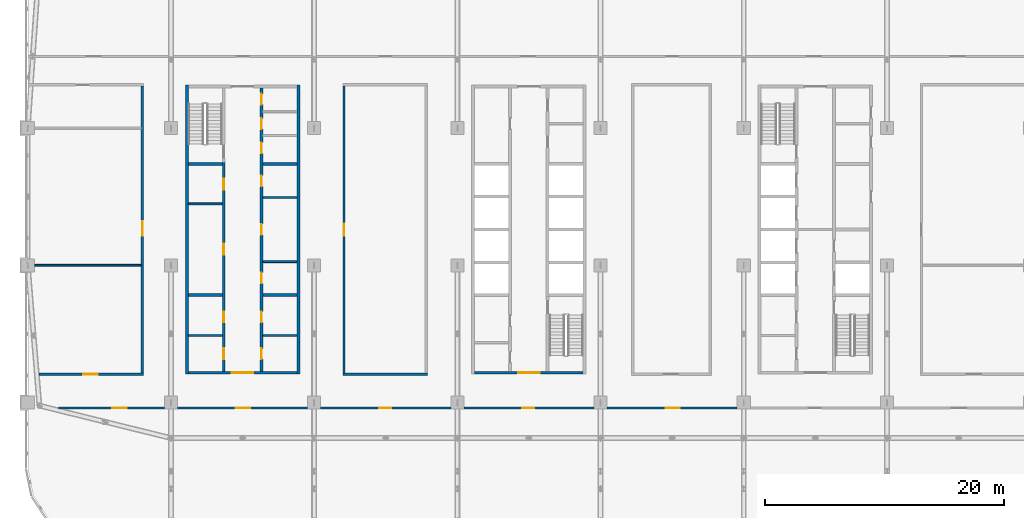
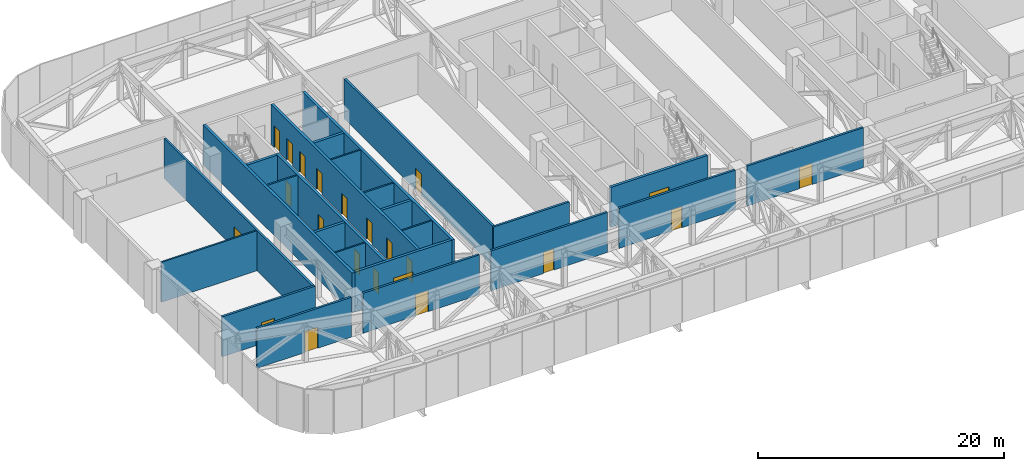
# One storey, part 13 of 28: 25 walls, 22 doors, 22 openings.
"""IFC4 building model written with IfcOpenShell, lengths in metres."""

import ifcopenshell
import ifcopenshell.guid

model = None  # the IFC model being written
_history = None  # IfcOwnerHistory: only IFC2X3 demands one
_inside = {}  # id of a spatial element -> (the spatial element, [elements in it])
_under = {}  # id of a project, library or spatial element -> (it, [spatial elements below it])
_declared = {}  # id of a project -> (the project, [libraries it declares])
_typed = {}  # id of a type object -> (the type object, [elements of that type])
_made_of = {}  # id of a material, layer set ... -> (it, [elements and type objects made of it])


def new_model(schema):
    """Start an empty IFC model of exactly this schema.

    Asked for "IFC4X3", IfcOpenShell would pick the latest addendum, in which some entities
    have other attributes; the version numbers below select the first issue.
    IFC2X3 requires an IfcOwnerHistory on every rooted entity: one is made here for all.
    """
    global model, _history
    if schema == "IFC4X3":
        model = ifcopenshell.file(schema_version=(4, 3, 0, 0))
    else:
        model = ifcopenshell.file(schema=schema)
    _inside.clear()
    _under.clear()
    _declared.clear()
    _typed.clear()
    _made_of.clear()
    _history = None
    if model.schema == "IFC2X3":
        org = make("IfcOrganization", Name="unknown")
        user = make(
            "IfcPersonAndOrganization",
            ThePerson=make("IfcPerson", FamilyName="unknown"),
            TheOrganization=org,
        )
        app = make(
            "IfcApplication",
            ApplicationDeveloper=org,
            Version="unknown",
            ApplicationFullName="unknown",
            ApplicationIdentifier="unknown",
        )
        _history = make(
            "IfcOwnerHistory",
            OwningUser=user,
            OwningApplication=app,
            ChangeAction="ADDED",
            CreationDate=0,
        )
    return model


def make(cls, **values):
    """One entity of the class cls with the attributes given. An attribute that is None is left unset."""
    return model.create_entity(
        cls, **{name: value for name, value in values.items() if value is not None}
    )


def rooted(cls, **values):
    """An entity with a GlobalId (a new one), such as an element, a storey or a relation."""
    return make(cls, GlobalId=ifcopenshell.guid.new(), OwnerHistory=_history, **values)


def si_unit(unit_type, name, prefix=None):
    """IfcSIUnit, for example si_unit("LENGTHUNIT", "METRE", prefix="MILLI")."""
    return make("IfcSIUnit", UnitType=unit_type, Prefix=prefix, Name=name)


def assignment(units):
    """IfcUnitAssignment: the units of a project."""
    return None if units is None else make("IfcUnitAssignment", Units=units)


def point(xyz):
    """IfcCartesianPoint."""
    return None if xyz is None else make("IfcCartesianPoint", Coordinates=xyz)


def direction(xyz):
    """IfcDirection."""
    return None if xyz is None else make("IfcDirection", DirectionRatios=xyz)


def frame(location, z_axis=None, x_axis=None):
    """IfcAxis2Placement3D, a coordinate frame: its origin and axes. An axis left out is left unset."""
    return make(
        "IfcAxis2Placement3D",
        Location=point(location),
        Axis=direction(z_axis),
        RefDirection=direction(x_axis),
    )


def frame_2d(location, x_axis=None):
    """IfcAxis2Placement2D, a coordinate frame in the plane: its origin and x axis."""
    return make(
        "IfcAxis2Placement2D", Location=point(location), RefDirection=direction(x_axis)
    )


def origin():
    """The frame at (0, 0, 0) with its axes left unset."""
    return frame((0.0, 0.0, 0.0))


def place(relative_to, where):
    """IfcLocalPlacement: puts the frame where relative to a parent placement (None: the world)."""
    return make(
        "IfcLocalPlacement", PlacementRelTo=relative_to, RelativePlacement=where
    )


def context(
    kind, dimensions, precision=None, world=None, true_north=None, identifier=None
):
    """IfcGeometricRepresentationContext, for example the 3D "Model" context."""
    return make(
        "IfcGeometricRepresentationContext",
        ContextIdentifier=identifier,
        ContextType=kind,
        CoordinateSpaceDimension=dimensions,
        Precision=precision,
        WorldCoordinateSystem=world,
        TrueNorth=true_north,
    )


def subcontext(parent, identifier, kind, view, scale=None):
    """IfcGeometricRepresentationSubContext, for example "Body" below "Model"."""
    return make(
        "IfcGeometricRepresentationSubContext",
        ContextIdentifier=identifier,
        ContextType=kind,
        ParentContext=parent,
        TargetScale=scale,
        TargetView=view,
    )


def project(units=None, contexts=None):
    """IfcProject with its units and contexts."""
    return rooted(
        "IfcProject",
        Name="project",
        RepresentationContexts=contexts,
        UnitsInContext=assignment(units),
    )


def spatial(cls, under=None, at=None, **own):
    """A site, building, storey or space (cls), placed at a placement, below another one or the project."""
    s = rooted(cls, ObjectPlacement=at, **own)
    if under is not None:
        _under.setdefault(under.id(), (under, []))[1].append(s)
    return s


def profile(cls, at=None, kind="AREA", **sizes):
    """A parametric profile (cls). Its sizes go by their IFC names, for example OverallWidth=200.0."""
    return make(cls, ProfileType=kind, Position=at, **sizes)


def rectangle(**sizes):
    """IfcRectangleProfileDef."""
    return profile("IfcRectangleProfileDef", **sizes)


def extrude(swept, where, along, depth):
    """IfcExtrudedAreaSolid: the profile swept, set in the frame where, extruded along a direction by depth."""
    return make(
        "IfcExtrudedAreaSolid",
        SweptArea=swept,
        Position=where,
        ExtrudedDirection=direction(along),
        Depth=depth,
    )


def shape(context_of_items, identifier, shape_type, items):
    """IfcShapeRepresentation: the items that make up one representation, for example the "Body"."""
    return make(
        "IfcShapeRepresentation",
        ContextOfItems=context_of_items,
        RepresentationIdentifier=identifier,
        RepresentationType=shape_type,
        Items=items,
    )


def material(Name=None, Category=None):
    """IfcMaterial."""
    return make("IfcMaterial", Name=Name, Category=Category)


def layer(
    of_material, thickness, ventilated=None, Name=None, Category=None, Priority=None
):
    """IfcMaterialLayer: one layer of a wall or slab, of a material (None: an air gap)."""
    return make(
        "IfcMaterialLayer",
        Material=of_material,
        LayerThickness=thickness,
        IsVentilated=ventilated,
        Name=Name,
        Category=Category,
        Priority=Priority,
    )


def layer_set(layers, Name=None):
    """IfcMaterialLayerSet."""
    return make("IfcMaterialLayerSet", MaterialLayers=layers, LayerSetName=Name)


def made_of(thing, what):
    """Note that an element or type object is made of a material, layer set ...; save() writes the relation."""
    if what is not None:
        _made_of.setdefault(what.id(), (what, []))[1].append(thing)
    return thing


def type_object(cls, material=None, **own):
    """A type object (cls), such as IfcWallType, which elements share."""
    return made_of(rooted(cls, **own), material)


def element(
    cls,
    number,
    at=None,
    inside=None,
    cuts=None,
    type_object=None,
    material=None,
    context=None,
    identifier="Body",
    shape_type=None,
    held_by="IfcProductDefinitionShape",
    body=None,
    shapes=None,
    **own,
):
    """One element of the class cls, such as IfcWall. Its Tag is "e" and its number.

    at: its placement. inside: the storey or other place that contains it. cuts: it is an
    opening in that element (IfcRelVoidsElement). A single representation is given by context,
    identifier, shape_type and body (its items); several are given by shapes. held_by: the class
    of the entity that holds the representations. save() writes the other relations.
    """
    e = rooted(cls, Tag="e%d" % number, ObjectPlacement=at, **own)
    if body is not None:
        shapes = [shape(context, identifier, shape_type, body)]
    if shapes is not None:
        e.Representation = make(held_by, Representations=shapes)
    if inside is not None:
        _inside.setdefault(inside.id(), (inside, []))[1].append(e)
    if cuts is not None:
        rooted(
            "IfcRelVoidsElement", RelatingBuildingElement=cuts, RelatedOpeningElement=e
        )
    if type_object is not None:
        _typed.setdefault(type_object.id(), (type_object, []))[1].append(e)
    return made_of(e, material)


def fill(opening, filler):
    """IfcRelFillsElement: the door or window that sits in an opening."""
    return rooted(
        "IfcRelFillsElement",
        RelatingOpeningElement=opening,
        RelatedBuildingElement=filler,
    )


def aggregate(whole, parts):
    """IfcRelAggregates: a whole, such as a stair, and the parts it consists of."""
    return rooted("IfcRelAggregates", RelatingObject=whole, RelatedObjects=parts)


def save(model, path):
    """Write the relations noted so far, then the file.

    IfcRelAggregates (storeys below a building ...), IfcRelContainedInSpatialStructure (elements
    in a storey), IfcRelDefinesByType, IfcRelAssociatesMaterial and IfcRelDeclares: one each for
    every whole, place, type object, material and project.
    """
    for whole, parts in _under.values():
        aggregate(whole, parts)
    for where, things in _inside.values():
        rooted(
            "IfcRelContainedInSpatialStructure",
            RelatedElements=things,
            RelatingStructure=where,
        )
    for kind, things in _typed.values():
        rooted("IfcRelDefinesByType", RelatedObjects=things, RelatingType=kind)
    for what, things in _made_of.values():
        rooted("IfcRelAssociatesMaterial", RelatedObjects=things, RelatingMaterial=what)
    for by, libraries in _declared.values():
        rooted("IfcRelDeclares", RelatingContext=by, RelatedDefinitions=libraries)
    model.write(path)


model = new_model("IFC4")

# Units and contexts
model_context = context("Model", 3, precision=1e-05, world=origin(), true_north=direction((0.0, 1.0)))
body_context = subcontext(model_context, "Body", "Model", "MODEL_VIEW")
ifc_project = project(units=[si_unit("LENGTHUNIT", "METRE"), si_unit("AREAUNIT", "SQUARE_METRE"), si_unit("VOLUMEUNIT", "CUBIC_METRE"), si_unit("PLANEANGLEUNIT", "RADIAN"), si_unit("MASSUNIT", "GRAM", prefix="KILO")], contexts=[model_context])

# Site, building, storey
site_placement = place(None, origin())
site = spatial("IfcSite", under=ifc_project, at=site_placement, CompositionType="ELEMENT")
building_placement = place(site_placement, origin())
building = spatial("IfcBuilding", under=site, at=building_placement, Name="Mahtab Terrace Research Tower", CompositionType="ELEMENT")
storey_placement = place(building_placement, frame((0.0, 0.0, 224.300048828125)))
storey = spatial("IfcBuildingStorey", under=building, at=storey_placement, Name="L54", CompositionType="ELEMENT", Elevation=224.300048828125)

# Walls
ifc_material_1 = material(Name="Gypsum board partition")
ifc_layer_1 = layer(ifc_material_1, 0.14990234375)
ifc_layer_set_1 = layer_set([ifc_layer_1], Name="Core partition 150")
wall_type_1 = type_object("IfcWallType", Name="Core partition 150", PredefinedType="PARTITIONING", material=ifc_layer_set_1)
for number, where, z_axis, x_axis, name in (
    (1, (-28.550048828125, 5.14990234375, 0.0), (0.0, 0.0, 1.0), (1.0, 0.0, 0.0), "Core wall A pWL215"),
    (2, (-22.300048828125, 0.3125, 0.0), (0.0, 0.0, 1.0), (1.0, 0.0, 0.0), "Core wall A pEL-269"),
    (3, (-22.300048828125, 5.6875, 0.0), (0.0, 0.0, 1.0), (1.0, 0.0, 0.0), "Core wall A pEL269"),
    (4, (-28.550048828125, -5.875, 0.0), (0.0, 0.0, 1.0), (1.0, 0.0, 0.0), "Core wall A pWS-888"),
    (5, (-22.300048828125, -5.875, 0.0), (0.0, 0.0, 1.0), (1.0, 0.0, 0.0), "Core wall A pES-888"),
):
    element("IfcWall", number, at=place(storey_placement, frame(where, z_axis=z_axis, x_axis=x_axis)), inside=storey, type_object=wall_type_1, Name=name, PredefinedType="PARTITIONING", context=body_context, shape_type="SweptSolid", body=[
        extrude(rectangle(XDim=2.85009765625, YDim=0.14990234375, at=frame_2d((1.425048828125, 0.0))), origin(), (0.0, 0.0, 1.0), 3.9599609375),
    ])
ifc_material_2 = material(Name="Concrete C70/85", Category="concrete")
ifc_layer_2 = layer(ifc_material_2, 0.25)
ifc_layer_set_2 = layer_set([ifc_layer_2], Name="Core wall 250")
wall_type_2 = type_object("IfcWallType", Name="Core wall 250", PredefinedType="SOLIDWALL", material=ifc_layer_set_2)
for number, where, z_axis, x_axis, name in (
    (6, (-28.675048828125, 15.125, 0.0), (0.0, 0.0, 1.0), (0.0, -1.0, 0.0), "Core wall A outerW"),
    (7, (-19.324951171875, -9.125, 0.0), (0.0, 0.0, 1.0), (0.0, 1.0, 0.0), "Core wall A outerE"),
):
    element("IfcWall", number, at=place(storey_placement, frame(where, z_axis=z_axis, x_axis=x_axis)), inside=storey, type_object=wall_type_2, Name=name, PredefinedType="SOLIDWALL", context=body_context, shape_type="SweptSolid", body=[
        extrude(rectangle(XDim=24.25, YDim=0.25, at=frame_2d((12.125, 0.0))), origin(), (0.0, 0.0, 1.0), 3.9599609375),
    ])

# Wall, opening, door
wall_1_placement = place(storey_placement, frame((-19.449951171875, -9.0, 0.0), z_axis=(0.0, 0.0, 1.0), x_axis=(-1.0, 0.0, 0.0)))
wall_1 = element("IfcWall", 8, at=wall_1_placement, inside=storey, type_object=wall_type_2, Name="Core wall A endS", PredefinedType="SOLIDWALL", context=body_context, shape_type="SweptSolid", body=[
    extrude(rectangle(XDim=9.10009765625, YDim=0.25, at=frame_2d((4.550048828125, 0.0))), origin(), (0.0, 0.0, 1.0), 3.9599609375),
])
opening_1_placement = place(wall_1_placement, frame((3.64990234375, 0.0, 0.0)))
opening_1 = element("IfcOpeningElement", 9, at=opening_1_placement, cuts=wall_1, Name="Opening A-S1", PredefinedType="OPENING", context=body_context, shape_type="SweptSolid", body=[
    extrude(rectangle(XDim=1.800048828125, YDim=2.10009765625, at=frame_2d((0.89990234375, 1.050048828125))), frame((0.0, 0.135009765625, 0.0), z_axis=(0.0, -1.0, 0.0), x_axis=(1.0, 0.0, 0.0)), (0.0, 0.0, 1.0), 0.27001953125),
])
ifc_material_3 = material(Name="Steel fire door", Category="steel")
door_type_1 = type_object("IfcDoorType", Name="Lobby double door 1800x2100 1 HR", OperationType="DOUBLE_DOOR_SINGLE_SWING", PredefinedType="DOOR", material=ifc_material_3)
door_1_placement = place(opening_1_placement, origin())
door_1 = element("IfcDoor", 10, at=door_1_placement, inside=storey, type_object=door_type_1, Name="Core entrance door A S", OperationType="DOUBLE_DOOR_SINGLE_SWING", OverallHeight=2.10009765625, OverallWidth=1.800048828125, PredefinedType="DOOR", context=body_context, shape_type="SweptSolid", body=[
    extrude(rectangle(XDim=1.800048828125, YDim=2.10009765625, at=frame_2d((0.89990234375, 1.050048828125))), frame((0.0, 0.02490234375, 0.0), z_axis=(0.0, -1.0, 0.0), x_axis=(1.0, 0.0, 0.0)), (0.0, 0.0, 1.0), 0.050048828125),
])
fill(opening_1, door_1)

# Wall, openings, doors
wall_2_placement = place(storey_placement, frame((-25.574951171875, -8.875, 0.0), z_axis=(0.0, 0.0, 1.0), x_axis=(0.0, 1.0, 0.0)))
wall_2 = element("IfcWall", 11, at=wall_2_placement, inside=storey, type_object=wall_type_2, Name="Core wall A innerWSL", PredefinedType="SOLIDWALL", context=body_context, shape_type="SweptSolid", body=[
    extrude(rectangle(XDim=17.5, YDim=0.25, at=frame_2d((8.75, 0.0))), origin(), (0.0, 0.0, 1.0), 3.9599609375),
])
opening_2_placement = place(wall_2_placement, frame((9.77490234375, 0.0, 0.0)))
opening_2 = element("IfcOpeningElement", 12, at=opening_2_placement, cuts=wall_2, Name="Opening A-R1", PredefinedType="OPENING", context=body_context, shape_type="SweptSolid", body=[
    extrude(rectangle(XDim=0.89990234375, YDim=2.10009765625, at=frame_2d((0.449951171875, 1.050048828125))), frame((0.0, 0.135009765625, 0.0), z_axis=(0.0, -1.0, 0.0), x_axis=(1.0, 0.0, 0.0)), (0.0, 0.0, 1.0), 0.27001953125),
])
opening_3_placement = place(wall_2_placement, frame((15.22509765625, 0.0, 0.0)))
opening_3 = element("IfcOpeningElement", 13, at=opening_3_placement, cuts=wall_2, Name="Opening A-R2", PredefinedType="OPENING", context=body_context, shape_type="SweptSolid", body=[
    extrude(rectangle(XDim=0.89990234375, YDim=2.10009765625, at=frame_2d((0.449951171875, 1.050048828125))), frame((0.0, 0.135009765625, 0.0), z_axis=(0.0, -1.0, 0.0), x_axis=(1.0, 0.0, 0.0)), (0.0, 0.0, 1.0), 0.27001953125),
])
opening_4_placement = place(wall_2_placement, frame((1.012451171875, 0.0, 0.0)))
opening_4 = element("IfcOpeningElement", 14, at=opening_4_placement, cuts=wall_2, Name="Opening A-R6", PredefinedType="OPENING", context=body_context, shape_type="SweptSolid", body=[
    extrude(rectangle(XDim=0.89990234375, YDim=2.10009765625, at=frame_2d((0.449951171875, 1.050048828125))), frame((0.0, 0.135009765625, 0.0), z_axis=(0.0, -1.0, 0.0), x_axis=(1.0, 0.0, 0.0)), (0.0, 0.0, 1.0), 0.27001953125),
])
opening_5_placement = place(wall_2_placement, frame((4.08740234375, 0.0, 0.0)))
opening_5 = element("IfcOpeningElement", 15, at=opening_5_placement, cuts=wall_2, Name="Opening A-R7", PredefinedType="OPENING", context=body_context, shape_type="SweptSolid", body=[
    extrude(rectangle(XDim=0.89990234375, YDim=2.10009765625, at=frame_2d((0.449951171875, 1.050048828125))), frame((0.0, 0.135009765625, 0.0), z_axis=(0.0, -1.0, 0.0), x_axis=(1.0, 0.0, 0.0)), (0.0, 0.0, 1.0), 0.27001953125),
])
door_type_2 = type_object("IfcDoorType", Name="Room door 900x2100 1 HR", OperationType="NOTDEFINED", PredefinedType="DOOR", material=ifc_material_3)
door_2_placement = place(opening_2_placement, origin())
door_2 = element("IfcDoor", 16, at=door_2_placement, inside=storey, type_object=door_type_2, Name="Chemical store door", OperationType="SINGLE_SWING_LEFT", OverallHeight=2.10009765625, OverallWidth=0.89990234375, PredefinedType="DOOR", context=body_context, shape_type="SweptSolid", body=[
    extrude(rectangle(XDim=0.89990234375, YDim=2.10009765625, at=frame_2d((0.449951171875, 1.050048828125))), frame((0.0, 0.02490234375, 0.0), z_axis=(0.0, -1.0, 0.0), x_axis=(1.0, 0.0, 0.0)), (0.0, 0.0, 1.0), 0.050048828125),
])
fill(opening_2, door_2)
door_3_placement = place(opening_3_placement, origin())
door_3 = element("IfcDoor", 17, at=door_3_placement, inside=storey, type_object=door_type_2, Name="Waste room door", OperationType="SINGLE_SWING_RIGHT", OverallHeight=2.10009765625, OverallWidth=0.89990234375, PredefinedType="DOOR", context=body_context, shape_type="SweptSolid", body=[
    extrude(rectangle(XDim=0.89990234375, YDim=2.10009765625, at=frame_2d((0.449951171875, 1.050048828125))), frame((0.0, 0.02490234375, 0.0), z_axis=(0.0, -1.0, 0.0), x_axis=(1.0, 0.0, 0.0)), (0.0, 0.0, 1.0), 0.050048828125),
])
fill(opening_3, door_3)
door_4_placement = place(opening_4_placement, origin())
door_4 = element("IfcDoor", 18, at=door_4_placement, inside=storey, type_object=door_type_2, Name="Staff WC door", OperationType="SINGLE_SWING_RIGHT", OverallHeight=2.10009765625, OverallWidth=0.89990234375, PredefinedType="DOOR", context=body_context, shape_type="SweptSolid", body=[
    extrude(rectangle(XDim=0.89990234375, YDim=2.10009765625, at=frame_2d((0.449951171875, 1.050048828125))), frame((0.0, 0.02490234375, 0.0), z_axis=(0.0, -1.0, 0.0), x_axis=(1.0, 0.0, 0.0)), (0.0, 0.0, 1.0), 0.050048828125),
])
fill(opening_4, door_4)
door_5_placement = place(opening_5_placement, origin())
door_5 = element("IfcDoor", 19, at=door_5_placement, inside=storey, type_object=door_type_2, Name="Accessible WC door", OperationType="SINGLE_SWING_LEFT", OverallHeight=2.10009765625, OverallWidth=0.89990234375, PredefinedType="DOOR", context=body_context, shape_type="SweptSolid", body=[
    extrude(rectangle(XDim=0.89990234375, YDim=2.10009765625, at=frame_2d((0.449951171875, 1.050048828125))), frame((0.0, 0.02490234375, 0.0), z_axis=(0.0, -1.0, 0.0), x_axis=(1.0, 0.0, 0.0)), (0.0, 0.0, 1.0), 0.050048828125),
])
fill(opening_5, door_5)

wall_3_placement = place(storey_placement, frame((-22.425048828125, 14.875, 0.0), z_axis=(0.0, 0.0, 1.0), x_axis=(0.0, -1.0, 0.0)))
wall_3 = element("IfcWall", 20, at=wall_3_placement, inside=storey, type_object=wall_type_2, Name="Core wall A innerESLN", PredefinedType="SOLIDWALL", context=body_context, shape_type="SweptSolid", body=[
    extrude(rectangle(XDim=23.75, YDim=0.25, at=frame_2d((11.875, 0.0))), origin(), (0.0, 0.0, 1.0), 3.9599609375),
])
opening_6_placement = place(wall_3_placement, frame((15.493896484375, 0.0, 0.0)))
opening_6 = element("IfcOpeningElement", 21, at=opening_6_placement, cuts=wall_3, Name="Opening A-R3", PredefinedType="OPENING", context=body_context, shape_type="SweptSolid", body=[
    extrude(rectangle(XDim=0.89990234375, YDim=2.10009765625, at=frame_2d((0.449951171875, 1.050048828125))), frame((0.0, 0.135009765625, 0.0), z_axis=(0.0, -1.0, 0.0), x_axis=(1.0, 0.0, 0.0)), (0.0, 0.0, 1.0), 0.27001953125),
])
opening_7_placement = place(wall_3_placement, frame((11.425048828125, 0.0, 0.0)))
opening_7 = element("IfcOpeningElement", 22, at=opening_7_placement, cuts=wall_3, Name="Opening A-R4", PredefinedType="OPENING", context=body_context, shape_type="SweptSolid", body=[
    extrude(rectangle(XDim=0.89990234375, YDim=2.10009765625, at=frame_2d((0.449951171875, 1.050048828125))), frame((0.0, 0.135009765625, 0.0), z_axis=(0.0, -1.0, 0.0), x_axis=(1.0, 0.0, 0.0)), (0.0, 0.0, 1.0), 0.27001953125),
])
opening_8_placement = place(wall_3_placement, frame((7.356201171875, 0.0, 0.0)))
opening_8 = element("IfcOpeningElement", 23, at=opening_8_placement, cuts=wall_3, Name="Opening A-R5", PredefinedType="OPENING", context=body_context, shape_type="SweptSolid", body=[
    extrude(rectangle(XDim=0.89990234375, YDim=2.10009765625, at=frame_2d((0.449951171875, 1.050048828125))), frame((0.0, 0.135009765625, 0.0), z_axis=(0.0, -1.0, 0.0), x_axis=(1.0, 0.0, 0.0)), (0.0, 0.0, 1.0), 0.27001953125),
])
opening_9_placement = place(wall_3_placement, frame((21.83740234375, 0.0, 0.0)))
opening_9 = element("IfcOpeningElement", 24, at=opening_9_placement, cuts=wall_3, Name="Opening A-R8", PredefinedType="OPENING", context=body_context, shape_type="SweptSolid", body=[
    extrude(rectangle(XDim=0.89990234375, YDim=2.10009765625, at=frame_2d((0.449951171875, 1.050048828125))), frame((0.0, 0.135009765625, 0.0), z_axis=(0.0, -1.0, 0.0), x_axis=(1.0, 0.0, 0.0)), (0.0, 0.0, 1.0), 0.27001953125),
])
opening_10_placement = place(wall_3_placement, frame((18.762451171875, 0.0, 0.0)))
opening_10 = element("IfcOpeningElement", 25, at=opening_10_placement, cuts=wall_3, Name="Opening A-R9", PredefinedType="OPENING", context=body_context, shape_type="SweptSolid", body=[
    extrude(rectangle(XDim=0.89990234375, YDim=2.10009765625, at=frame_2d((0.449951171875, 1.050048828125))), frame((0.0, 0.135009765625, 0.0), z_axis=(0.0, -1.0, 0.0), x_axis=(1.0, 0.0, 0.0)), (0.0, 0.0, 1.0), 0.27001953125),
])
opening_11_placement = place(wall_3_placement, frame((4.58740234375, 0.0, 0.0)))
opening_11 = element("IfcOpeningElement", 26, at=opening_11_placement, cuts=wall_3, Name="Opening A-R10", PredefinedType="OPENING", context=body_context, shape_type="SweptSolid", body=[
    extrude(rectangle(XDim=0.89990234375, YDim=2.10009765625, at=frame_2d((0.449951171875, 1.050048828125))), frame((0.0, 0.135009765625, 0.0), z_axis=(0.0, -1.0, 0.0), x_axis=(1.0, 0.0, 0.0)), (0.0, 0.0, 1.0), 0.27001953125),
])
opening_12_placement = place(wall_3_placement, frame((2.550048828125, 0.0, 0.0)))
opening_12 = element("IfcOpeningElement", 27, at=opening_12_placement, cuts=wall_3, Name="Opening A-R11", PredefinedType="OPENING", context=body_context, shape_type="SweptSolid", body=[
    extrude(rectangle(XDim=0.89990234375, YDim=2.10009765625, at=frame_2d((0.449951171875, 1.050048828125))), frame((0.0, 0.135009765625, 0.0), z_axis=(0.0, -1.0, 0.0), x_axis=(1.0, 0.0, 0.0)), (0.0, 0.0, 1.0), 0.27001953125),
])
opening_13_placement = place(wall_3_placement, frame((0.512451171875, 0.0, 0.0)))
opening_13 = element("IfcOpeningElement", 28, at=opening_13_placement, cuts=wall_3, Name="Opening A-R12", PredefinedType="OPENING", context=body_context, shape_type="SweptSolid", body=[
    extrude(rectangle(XDim=0.89990234375, YDim=2.10009765625, at=frame_2d((0.449951171875, 1.050048828125))), frame((0.0, 0.135009765625, 0.0), z_axis=(0.0, -1.0, 0.0), x_axis=(1.0, 0.0, 0.0)), (0.0, 0.0, 1.0), 0.27001953125),
])
door_6_placement = place(opening_6_placement, origin())
door_6 = element("IfcDoor", 29, at=door_6_placement, inside=storey, type_object=door_type_2, Name="Comms room door", OperationType="SINGLE_SWING_LEFT", OverallHeight=2.10009765625, OverallWidth=0.89990234375, PredefinedType="DOOR", context=body_context, shape_type="SweptSolid", body=[
    extrude(rectangle(XDim=0.89990234375, YDim=2.10009765625, at=frame_2d((0.449951171875, 1.050048828125))), frame((0.0, 0.02490234375, 0.0), z_axis=(0.0, -1.0, 0.0), x_axis=(1.0, 0.0, 0.0)), (0.0, 0.0, 1.0), 0.050048828125),
])
fill(opening_6, door_6)
door_7_placement = place(opening_7_placement, origin())
door_7 = element("IfcDoor", 30, at=door_7_placement, inside=storey, type_object=door_type_2, Name="Meeting alcove door", OperationType="SINGLE_SWING_RIGHT", OverallHeight=2.10009765625, OverallWidth=0.89990234375, PredefinedType="DOOR", context=body_context, shape_type="SweptSolid", body=[
    extrude(rectangle(XDim=0.89990234375, YDim=2.10009765625, at=frame_2d((0.449951171875, 1.050048828125))), frame((0.0, 0.02490234375, 0.0), z_axis=(0.0, -1.0, 0.0), x_axis=(1.0, 0.0, 0.0)), (0.0, 0.0, 1.0), 0.050048828125),
])
fill(opening_7, door_7)
door_8_placement = place(opening_8_placement, origin())
door_8 = element("IfcDoor", 31, at=door_8_placement, inside=storey, type_object=door_type_2, Name="Linen store door", OperationType="SINGLE_SWING_LEFT", OverallHeight=2.10009765625, OverallWidth=0.89990234375, PredefinedType="DOOR", context=body_context, shape_type="SweptSolid", body=[
    extrude(rectangle(XDim=0.89990234375, YDim=2.10009765625, at=frame_2d((0.449951171875, 1.050048828125))), frame((0.0, 0.02490234375, 0.0), z_axis=(0.0, -1.0, 0.0), x_axis=(1.0, 0.0, 0.0)), (0.0, 0.0, 1.0), 0.050048828125),
])
fill(opening_8, door_8)
door_9_placement = place(opening_9_placement, origin())
door_9 = element("IfcDoor", 32, at=door_9_placement, inside=storey, type_object=door_type_2, Name="Housekeeping store door", OperationType="SINGLE_SWING_RIGHT", OverallHeight=2.10009765625, OverallWidth=0.89990234375, PredefinedType="DOOR", context=body_context, shape_type="SweptSolid", body=[
    extrude(rectangle(XDim=0.89990234375, YDim=2.10009765625, at=frame_2d((0.449951171875, 1.050048828125))), frame((0.0, 0.02490234375, 0.0), z_axis=(0.0, -1.0, 0.0), x_axis=(1.0, 0.0, 0.0)), (0.0, 0.0, 1.0), 0.050048828125),
])
fill(opening_9, door_9)
door_10_placement = place(opening_10_placement, origin())
door_10 = element("IfcDoor", 33, at=door_10_placement, inside=storey, type_object=door_type_2, Name="Electrical riser room door", OperationType="SINGLE_SWING_LEFT", OverallHeight=2.10009765625, OverallWidth=0.89990234375, PredefinedType="DOOR", context=body_context, shape_type="SweptSolid", body=[
    extrude(rectangle(XDim=0.89990234375, YDim=2.10009765625, at=frame_2d((0.449951171875, 1.050048828125))), frame((0.0, 0.02490234375, 0.0), z_axis=(0.0, -1.0, 0.0), x_axis=(1.0, 0.0, 0.0)), (0.0, 0.0, 1.0), 0.050048828125),
])
fill(opening_10, door_10)
door_11_placement = place(opening_11_placement, origin())
door_11 = element("IfcDoor", 34, at=door_11_placement, inside=storey, type_object=door_type_2, Name="Comms riser room door", OperationType="SINGLE_SWING_RIGHT", OverallHeight=2.10009765625, OverallWidth=0.89990234375, PredefinedType="DOOR", context=body_context, shape_type="SweptSolid", body=[
    extrude(rectangle(XDim=0.89990234375, YDim=2.10009765625, at=frame_2d((0.449951171875, 1.050048828125))), frame((0.0, 0.02490234375, 0.0), z_axis=(0.0, -1.0, 0.0), x_axis=(1.0, 0.0, 0.0)), (0.0, 0.0, 1.0), 0.050048828125),
])
fill(opening_11, door_11)
door_12_placement = place(opening_12_placement, origin())
door_12 = element("IfcDoor", 35, at=door_12_placement, inside=storey, type_object=door_type_2, Name="Pantry door", OperationType="SINGLE_SWING_LEFT", OverallHeight=2.10009765625, OverallWidth=0.89990234375, PredefinedType="DOOR", context=body_context, shape_type="SweptSolid", body=[
    extrude(rectangle(XDim=0.89990234375, YDim=2.10009765625, at=frame_2d((0.449951171875, 1.050048828125))), frame((0.0, 0.02490234375, 0.0), z_axis=(0.0, -1.0, 0.0), x_axis=(1.0, 0.0, 0.0)), (0.0, 0.0, 1.0), 0.050048828125),
])
fill(opening_12, door_12)
door_13_placement = place(opening_13_placement, origin())
door_13 = element("IfcDoor", 36, at=door_13_placement, inside=storey, type_object=door_type_2, Name="Cleaners store door", OperationType="SINGLE_SWING_RIGHT", OverallHeight=2.10009765625, OverallWidth=0.89990234375, PredefinedType="DOOR", context=body_context, shape_type="SweptSolid", body=[
    extrude(rectangle(XDim=0.89990234375, YDim=2.10009765625, at=frame_2d((0.449951171875, 1.050048828125))), frame((0.0, 0.02490234375, 0.0), z_axis=(0.0, -1.0, 0.0), x_axis=(1.0, 0.0, 0.0)), (0.0, 0.0, 1.0), 0.050048828125),
])
fill(opening_13, door_13)

# Walls
for number, where, z_axis, x_axis, name in (
    (37, (-28.550048828125, -2.5, 0.0), (0.0, 0.0, 1.0), (1.0, 0.0, 0.0), "Core wall A divW0"),
    (38, (-28.550048828125, 8.5, 0.0), (0.0, 0.0, 1.0), (1.0, 0.0, 0.0), "Core wall A divW4"),
    (39, (-22.300048828125, -2.5, 0.0), (0.0, 0.0, 1.0), (1.0, 0.0, 0.0), "Core wall A divE0"),
    (40, (-22.300048828125, 8.5, 0.0), (0.0, 0.0, 1.0), (1.0, 0.0, 0.0), "Core wall A divE4"),
):
    element("IfcWall", number, at=place(storey_placement, frame(where, z_axis=z_axis, x_axis=x_axis)), inside=storey, type_object=wall_type_2, Name=name, PredefinedType="SOLIDWALL", context=body_context, shape_type="SweptSolid", body=[
        extrude(rectangle(XDim=2.85009765625, YDim=0.25, at=frame_2d((1.425048828125, 0.0))), origin(), (0.0, 0.0, 1.0), 3.9599609375),
    ])

# Wall, opening, door
wall_4_placement = place(storey_placement, frame((4.550048828125, -9.0, 0.0), z_axis=(0.0, 0.0, 1.0), x_axis=(-1.0, 0.0, 0.0)))
wall_4 = element("IfcWall", 41, at=wall_4_placement, inside=storey, type_object=wall_type_2, Name="Core wall B endS", PredefinedType="SOLIDWALL", context=body_context, shape_type="SweptSolid", body=[
    extrude(rectangle(XDim=9.10009765625, YDim=0.25, at=frame_2d((4.550048828125, 0.0))), origin(), (0.0, 0.0, 1.0), 3.9599609375),
])
opening_14_placement = place(wall_4_placement, frame((3.64990234375, 0.0, 0.0)))
opening_14 = element("IfcOpeningElement", 42, at=opening_14_placement, cuts=wall_4, Name="Opening B-S1", PredefinedType="OPENING", context=body_context, shape_type="SweptSolid", body=[
    extrude(rectangle(XDim=1.800048828125, YDim=2.10009765625, at=frame_2d((0.89990234375, 1.050048828125))), frame((0.0, 0.135009765625, 0.0), z_axis=(0.0, -1.0, 0.0), x_axis=(1.0, 0.0, 0.0)), (0.0, 0.0, 1.0), 0.27001953125),
])
door_14_placement = place(opening_14_placement, origin())
door_14 = element("IfcDoor", 43, at=door_14_placement, inside=storey, type_object=door_type_1, Name="Core entrance door B S", OperationType="DOUBLE_DOOR_SINGLE_SWING", OverallHeight=2.10009765625, OverallWidth=1.800048828125, PredefinedType="DOOR", context=body_context, shape_type="SweptSolid", body=[
    extrude(rectangle(XDim=1.800048828125, YDim=2.10009765625, at=frame_2d((0.89990234375, 1.050048828125))), frame((0.0, 0.02490234375, 0.0), z_axis=(0.0, -1.0, 0.0), x_axis=(1.0, 0.0, 0.0)), (0.0, 0.0, 1.0), 0.050048828125),
])
fill(opening_14, door_14)

ifc_material_4 = material(Name="Gypsum board corridor wall on steel studs", Category="steel")
ifc_layer_3 = layer(ifc_material_4, 0.199951171875)
ifc_layer_set_3 = layer_set([ifc_layer_3], Name="WALL CORRIDOR 200")
wall_type_3 = type_object("IfcWallType", Name="WALL CORRIDOR 200", PredefinedType="PARTITIONING", material=ifc_layer_set_3)
wall_5_placement = place(storey_placement, frame((-39.40625, -11.949951171875, 0.0), z_axis=(0.0, 0.0, 1.0), x_axis=(1.0, 0.0, 0.0)))
wall_5 = element("IfcWall", 44, at=wall_5_placement, inside=storey, type_object=wall_type_3, Name="L54-W001", PredefinedType="PARTITIONING", context=body_context, shape_type="SweptSolid", body=[
    extrude(rectangle(XDim=8.856201171875, YDim=0.199951171875, at=frame_2d((4.42822265625, 0.0))), origin(), (0.0, 0.0, 1.0), 3.9599609375),
])
opening_15_placement = place(wall_5_placement, frame((4.5, 0.0, 0.0)))
opening_15 = element("IfcOpeningElement", 45, at=opening_15_placement, cuts=wall_5, Name="Opening L54-101", PredefinedType="OPENING", context=body_context, shape_type="SweptSolid", body=[
    extrude(rectangle(XDim=1.199951171875, YDim=2.10009765625, at=frame_2d((0.60009765625, 1.050048828125))), frame((0.0, 0.10986328125, 0.0), z_axis=(0.0, -1.0, 0.0), x_axis=(1.0, 0.0, 0.0)), (0.0, 0.0, 1.0), 0.219970703125),
])
ifc_material_5 = material(Name="Timber door leaf in steel frame", Category="steel")
door_type_3 = type_object("IfcDoorType", Name="DOOR 1200X2100 FD30S", OperationType="SINGLE_SWING_LEFT", PredefinedType="DOOR", material=ifc_material_5)
door_15_placement = place(opening_15_placement, origin())
door_15 = element("IfcDoor", 46, at=door_15_placement, inside=storey, type_object=door_type_3, Name="Door L54-101", OperationType="SINGLE_SWING_LEFT", OverallHeight=2.10009765625, OverallWidth=1.199951171875, PredefinedType="DOOR", context=body_context, shape_type="SweptSolid", body=[
    extrude(rectangle(XDim=1.199951171875, YDim=2.10009765625, at=frame_2d((0.60009765625, 1.050048828125))), frame((0.0, 0.02490234375, 0.0), z_axis=(0.0, -1.0, 0.0), x_axis=(1.0, 0.0, 0.0)), (0.0, 0.0, 1.0), 0.050048828125),
])
fill(opening_15, door_15)

wall_6_placement = place(storey_placement, frame((-29.449951171875, -11.949951171875, 0.0), z_axis=(0.0, 0.0, 1.0), x_axis=(1.0, 0.0, 0.0)))
wall_6 = element("IfcWall", 47, at=wall_6_placement, inside=storey, type_object=wall_type_3, Name="L54-W002", PredefinedType="PARTITIONING", context=body_context, shape_type="SweptSolid", body=[
    extrude(rectangle(XDim=10.89990234375, YDim=0.199951171875, at=frame_2d((5.449951171875, 0.0))), origin(), (0.0, 0.0, 1.0), 3.9599609375),
])
opening_16_placement = place(wall_6_placement, frame((4.89990234375, 0.0, 0.0)))
opening_16 = element("IfcOpeningElement", 48, at=opening_16_placement, cuts=wall_6, Name="Opening L54-102", PredefinedType="OPENING", context=body_context, shape_type="SweptSolid", body=[
    extrude(rectangle(XDim=1.199951171875, YDim=2.10009765625, at=frame_2d((0.60009765625, 1.050048828125))), frame((0.0, 0.10986328125, 0.0), z_axis=(0.0, -1.0, 0.0), x_axis=(1.0, 0.0, 0.0)), (0.0, 0.0, 1.0), 0.219970703125),
])
door_16_placement = place(opening_16_placement, origin())
door_16 = element("IfcDoor", 49, at=door_16_placement, inside=storey, type_object=door_type_3, Name="Door L54-102", OperationType="SINGLE_SWING_LEFT", OverallHeight=2.10009765625, OverallWidth=1.199951171875, PredefinedType="DOOR", context=body_context, shape_type="SweptSolid", body=[
    extrude(rectangle(XDim=1.199951171875, YDim=2.10009765625, at=frame_2d((0.60009765625, 1.050048828125))), frame((0.0, 0.02490234375, 0.0), z_axis=(0.0, -1.0, 0.0), x_axis=(1.0, 0.0, 0.0)), (0.0, 0.0, 1.0), 0.050048828125),
])
fill(opening_16, door_16)

wall_7_placement = place(storey_placement, frame((-17.449951171875, -11.949951171875, 0.0), z_axis=(0.0, 0.0, 1.0), x_axis=(1.0, 0.0, 0.0)))
wall_7 = element("IfcWall", 50, at=wall_7_placement, inside=storey, type_object=wall_type_3, Name="L54-W003", PredefinedType="PARTITIONING", context=body_context, shape_type="SweptSolid", body=[
    extrude(rectangle(XDim=10.89990234375, YDim=0.199951171875, at=frame_2d((5.449951171875, 0.0))), origin(), (0.0, 0.0, 1.0), 3.9599609375),
])
opening_17_placement = place(wall_7_placement, frame((4.89990234375, 0.0, 0.0)))
opening_17 = element("IfcOpeningElement", 51, at=opening_17_placement, cuts=wall_7, Name="Opening L54-103", PredefinedType="OPENING", context=body_context, shape_type="SweptSolid", body=[
    extrude(rectangle(XDim=1.0, YDim=2.10009765625, at=frame_2d((0.5, 1.050048828125))), frame((0.0, 0.10986328125, 0.0), z_axis=(0.0, -1.0, 0.0), x_axis=(1.0, 0.0, 0.0)), (0.0, 0.0, 1.0), 0.219970703125),
])
door_type_4 = type_object("IfcDoorType", Name="DOOR 1000X2100 FD30S", OperationType="SINGLE_SWING_LEFT", PredefinedType="DOOR", material=ifc_material_5)
door_17_placement = place(opening_17_placement, origin())
door_17 = element("IfcDoor", 52, at=door_17_placement, inside=storey, type_object=door_type_4, Name="Door L54-103", OperationType="SINGLE_SWING_RIGHT", OverallHeight=2.10009765625, OverallWidth=1.0, PredefinedType="DOOR", context=body_context, shape_type="SweptSolid", body=[
    extrude(rectangle(XDim=1.0, YDim=2.10009765625, at=frame_2d((0.5, 1.050048828125))), frame((0.0, 0.02490234375, 0.0), z_axis=(0.0, -1.0, 0.0), x_axis=(1.0, 0.0, 0.0)), (0.0, 0.0, 1.0), 0.050048828125),
])
fill(opening_17, door_17)

wall_8_placement = place(storey_placement, frame((-5.449951171875, -11.949951171875, 0.0), z_axis=(0.0, 0.0, 1.0), x_axis=(1.0, 0.0, 0.0)))
wall_8 = element("IfcWall", 53, at=wall_8_placement, inside=storey, type_object=wall_type_3, Name="L54-W004", PredefinedType="PARTITIONING", context=body_context, shape_type="SweptSolid", body=[
    extrude(rectangle(XDim=10.89990234375, YDim=0.199951171875, at=frame_2d((5.449951171875, 0.0))), origin(), (0.0, 0.0, 1.0), 3.9599609375),
])
opening_18_placement = place(wall_8_placement, frame((4.89990234375, 0.0, 0.0)))
opening_18 = element("IfcOpeningElement", 54, at=opening_18_placement, cuts=wall_8, Name="Opening L54-104", PredefinedType="OPENING", context=body_context, shape_type="SweptSolid", body=[
    extrude(rectangle(XDim=1.0, YDim=2.10009765625, at=frame_2d((0.5, 1.050048828125))), frame((0.0, 0.10986328125, 0.0), z_axis=(0.0, -1.0, 0.0), x_axis=(1.0, 0.0, 0.0)), (0.0, 0.0, 1.0), 0.219970703125),
])
door_18_placement = place(opening_18_placement, origin())
door_18 = element("IfcDoor", 55, at=door_18_placement, inside=storey, type_object=door_type_4, Name="Door L54-104", OperationType="SINGLE_SWING_RIGHT", OverallHeight=2.10009765625, OverallWidth=1.0, PredefinedType="DOOR", context=body_context, shape_type="SweptSolid", body=[
    extrude(rectangle(XDim=1.0, YDim=2.10009765625, at=frame_2d((0.5, 1.050048828125))), frame((0.0, 0.02490234375, 0.0), z_axis=(0.0, -1.0, 0.0), x_axis=(1.0, 0.0, 0.0)), (0.0, 0.0, 1.0), 0.050048828125),
])
fill(opening_18, door_18)

wall_9_placement = place(storey_placement, frame((6.550048828125, -11.949951171875, 0.0), z_axis=(0.0, 0.0, 1.0), x_axis=(1.0, 0.0, 0.0)))
wall_9 = element("IfcWall", 56, at=wall_9_placement, inside=storey, type_object=wall_type_3, Name="L54-W005", PredefinedType="PARTITIONING", context=body_context, shape_type="SweptSolid", body=[
    extrude(rectangle(XDim=10.89990234375, YDim=0.199951171875, at=frame_2d((5.449951171875, 0.0))), origin(), (0.0, 0.0, 1.0), 3.9599609375),
])
opening_19_placement = place(wall_9_placement, frame((4.89990234375, 0.0, 0.0)))
opening_19 = element("IfcOpeningElement", 57, at=opening_19_placement, cuts=wall_9, Name="Opening L54-105", PredefinedType="OPENING", context=body_context, shape_type="SweptSolid", body=[
    extrude(rectangle(XDim=1.199951171875, YDim=2.10009765625, at=frame_2d((0.60009765625, 1.050048828125))), frame((0.0, 0.10986328125, 0.0), z_axis=(0.0, -1.0, 0.0), x_axis=(1.0, 0.0, 0.0)), (0.0, 0.0, 1.0), 0.219970703125),
])
door_19_placement = place(opening_19_placement, origin())
door_19 = element("IfcDoor", 58, at=door_19_placement, inside=storey, type_object=door_type_3, Name="Door L54-105", OperationType="SINGLE_SWING_LEFT", OverallHeight=2.10009765625, OverallWidth=1.199951171875, PredefinedType="DOOR", context=body_context, shape_type="SweptSolid", body=[
    extrude(rectangle(XDim=1.199951171875, YDim=2.10009765625, at=frame_2d((0.60009765625, 1.050048828125))), frame((0.0, 0.02490234375, 0.0), z_axis=(0.0, -1.0, 0.0), x_axis=(1.0, 0.0, 0.0)), (0.0, 0.0, 1.0), 0.050048828125),
])
fill(opening_19, door_19)

wall_10_placement = place(storey_placement, frame((-41.039794921875, -9.125, 0.0), z_axis=(0.0, 0.0, 1.0), x_axis=(1.0, 0.0, 0.0)))
wall_10 = element("IfcWall", 59, at=wall_10_placement, inside=storey, type_object=wall_type_3, Name="L54-W009", PredefinedType="PARTITIONING", context=body_context, shape_type="SweptSolid", body=[
    extrude(rectangle(XDim=8.73974609375, YDim=0.199951171875, at=frame_2d((4.369873046875, 0.0))), origin(), (0.0, 0.0, 1.0), 3.9599609375),
])
opening_20_placement = place(wall_10_placement, frame((3.699951171875, 0.0, 0.0)))
opening_20 = element("IfcOpeningElement", 60, at=opening_20_placement, cuts=wall_10, Name="Opening L54-109", PredefinedType="OPENING", context=body_context, shape_type="SweptSolid", body=[
    extrude(rectangle(XDim=1.199951171875, YDim=2.10009765625, at=frame_2d((0.60009765625, 1.050048828125))), frame((0.0, 0.10986328125, 0.0), z_axis=(0.0, -1.0, 0.0), x_axis=(1.0, 0.0, 0.0)), (0.0, 0.0, 1.0), 0.219970703125),
])
door_20_placement = place(opening_20_placement, origin())
door_20 = element("IfcDoor", 61, at=door_20_placement, inside=storey, type_object=door_type_3, Name="Door L54-109", OperationType="SINGLE_SWING_LEFT", OverallHeight=2.10009765625, OverallWidth=1.199951171875, PredefinedType="DOOR", context=body_context, shape_type="SweptSolid", body=[
    extrude(rectangle(XDim=1.199951171875, YDim=2.10009765625, at=frame_2d((0.60009765625, 1.050048828125))), frame((0.0, 0.02490234375, 0.0), z_axis=(0.0, -1.0, 0.0), x_axis=(1.0, 0.0, 0.0)), (0.0, 0.0, 1.0), 0.050048828125),
])
fill(opening_20, door_20)

# Wall
wall_11_placement = place(storey_placement, frame((-15.60009765625, -9.125, 0.0), z_axis=(0.0, 0.0, 1.0), x_axis=(1.0, 0.0, 0.0)))
element("IfcWall", 62, at=wall_11_placement, inside=storey, type_object=wall_type_3, Name="L54-W010", PredefinedType="PARTITIONING", context=body_context, shape_type="SweptSolid", body=[
    extrude(rectangle(XDim=7.10009765625, YDim=0.199951171875, at=frame_2d((3.550048828125, 0.0))), origin(), (0.0, 0.0, 1.0), 3.9599609375),
])

# Wall, opening, door
wall_12_placement = place(storey_placement, frame((-32.39990234375, -9.02490234375, 0.0), z_axis=(0.0, 0.0, 1.0), x_axis=(0.0, 1.0, 0.0)))
wall_12 = element("IfcWall", 63, at=wall_12_placement, inside=storey, type_object=wall_type_3, Name="L54-W033", PredefinedType="PARTITIONING", context=body_context, shape_type="SweptSolid", body=[
    extrude(rectangle(XDim=24.0498046875, YDim=0.199951171875, at=frame_2d((12.02490234375, 0.0))), origin(), (0.0, 0.0, 1.0), 3.9599609375),
])
opening_21_placement = place(wall_12_placement, frame((11.5, 0.0, 0.0)))
opening_21 = element("IfcOpeningElement", 64, at=opening_21_placement, cuts=wall_12, Name="Opening L54-112", PredefinedType="OPENING", context=body_context, shape_type="SweptSolid", body=[
    extrude(rectangle(XDim=1.199951171875, YDim=2.10009765625, at=frame_2d((0.60009765625, 1.050048828125))), frame((0.0, 0.10986328125, 0.0), z_axis=(0.0, -1.0, 0.0), x_axis=(1.0, 0.0, 0.0)), (0.0, 0.0, 1.0), 0.219970703125),
])
door_21_placement = place(opening_21_placement, origin())
door_21 = element("IfcDoor", 65, at=door_21_placement, inside=storey, type_object=door_type_3, Name="Door L54-112", OperationType="SINGLE_SWING_RIGHT", OverallHeight=2.10009765625, OverallWidth=1.199951171875, PredefinedType="DOOR", context=body_context, shape_type="SweptSolid", body=[
    extrude(rectangle(XDim=1.199951171875, YDim=2.10009765625, at=frame_2d((0.60009765625, 1.050048828125))), frame((0.0, 0.02490234375, 0.0), z_axis=(0.0, -1.0, 0.0), x_axis=(1.0, 0.0, 0.0)), (0.0, 0.0, 1.0), 0.050048828125),
])
fill(opening_21, door_21)

wall_13_placement = place(storey_placement, frame((-15.5, -9.02490234375, 0.0), z_axis=(0.0, 0.0, 1.0), x_axis=(0.0, 1.0, 0.0)))
wall_13 = element("IfcWall", 66, at=wall_13_placement, inside=storey, type_object=wall_type_3, Name="L54-W034", PredefinedType="PARTITIONING", context=body_context, shape_type="SweptSolid", body=[
    extrude(rectangle(XDim=24.0498046875, YDim=0.199951171875, at=frame_2d((12.02490234375, 0.0))), origin(), (0.0, 0.0, 1.0), 3.9599609375),
])
opening_22_placement = place(wall_13_placement, frame((11.5, 0.0, 0.0)))
opening_22 = element("IfcOpeningElement", 67, at=opening_22_placement, cuts=wall_13, Name="Opening L54-113", PredefinedType="OPENING", context=body_context, shape_type="SweptSolid", body=[
    extrude(rectangle(XDim=1.0, YDim=2.10009765625, at=frame_2d((0.5, 1.050048828125))), frame((0.0, 0.10986328125, 0.0), z_axis=(0.0, -1.0, 0.0), x_axis=(1.0, 0.0, 0.0)), (0.0, 0.0, 1.0), 0.219970703125),
])
door_22_placement = place(opening_22_placement, origin())
door_22 = element("IfcDoor", 68, at=door_22_placement, inside=storey, type_object=door_type_4, Name="Door L54-113", OperationType="SINGLE_SWING_RIGHT", OverallHeight=2.10009765625, OverallWidth=1.0, PredefinedType="DOOR", context=body_context, shape_type="SweptSolid", body=[
    extrude(rectangle(XDim=1.0, YDim=2.10009765625, at=frame_2d((0.5, 1.050048828125))), frame((0.0, 0.02490234375, 0.0), z_axis=(0.0, -1.0, 0.0), x_axis=(1.0, 0.0, 0.0)), (0.0, 0.0, 1.0), 0.050048828125),
])
fill(opening_22, door_22)

# Wall
ifc_material_6 = material(Name="Gypsum board partition on steel studs", Category="steel")
ifc_layer_4 = layer(ifc_material_6, 0.14990234375)
ifc_layer_set_4 = layer_set([ifc_layer_4], Name="WALL PARTITION 150")
wall_type_4 = type_object("IfcWallType", Name="WALL PARTITION 150", PredefinedType="PARTITIONING", material=ifc_layer_set_4)
wall_14_placement = place(storey_placement, frame((-41.449951171875, 0.0, 0.0), z_axis=(0.0, 0.0, 1.0), x_axis=(1.0, 0.0, 0.0)))
element("IfcWall", 69, at=wall_14_placement, inside=storey, type_object=wall_type_4, Name="L54-W014", PredefinedType="PARTITIONING", context=body_context, shape_type="SweptSolid", body=[
    extrude(rectangle(XDim=8.949951171875, YDim=0.14990234375, at=frame_2d((4.47509765625, 0.0))), origin(), (0.0, 0.0, 1.0), 3.9599609375),
])

save(model, "model.ifc")
